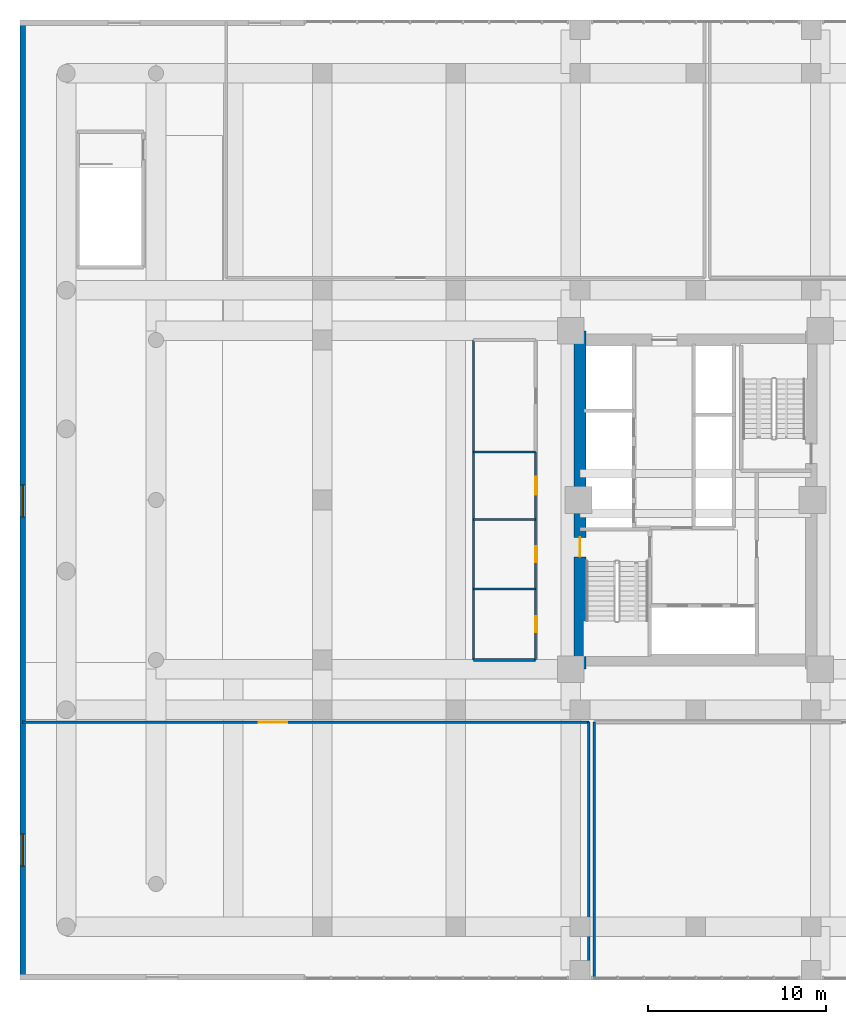
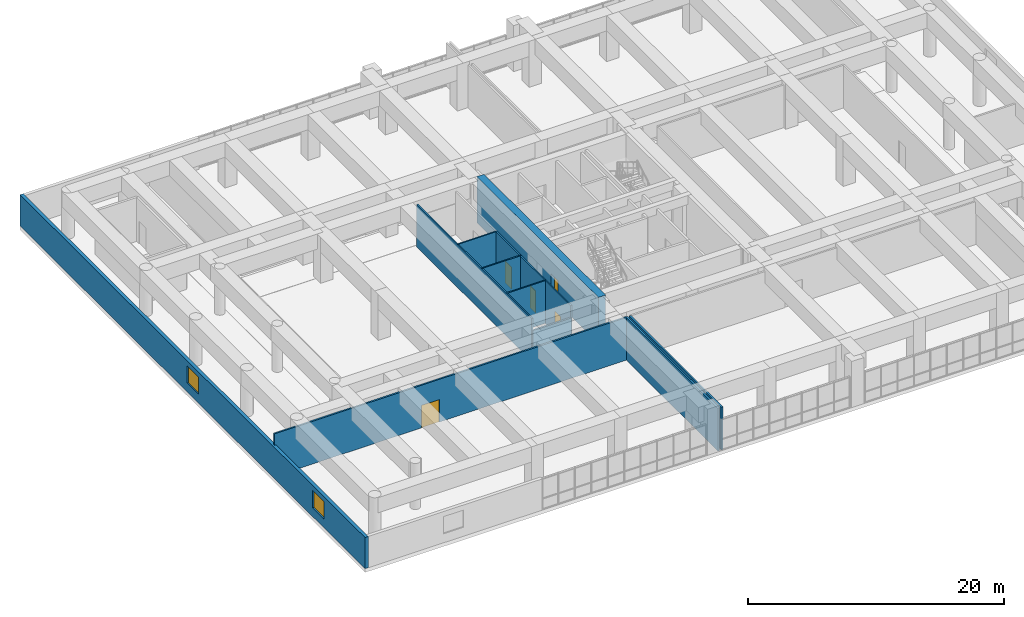
# One storey, part 18 of 28: 13 walls, 5 doors, 2 windows, 7 openings.
"""IFC4 building model written with IfcOpenShell, lengths in metres."""

from ifc_helpers import new_model, si_unit, direction, frame, frame_2d, origin, place, context, subcontext, project, spatial, rectangle, extrude, source, transform, mapped, material, layer, layer_set, type_object, element, fill, save


model = new_model("IFC4")

# Units and contexts
model_context = context("Model", 3, precision=1e-05, world=origin(), true_north=direction((0.0, 1.0)))
body_context = subcontext(model_context, "Body", "Model", "MODEL_VIEW")
ifc_project = project(units=[si_unit("LENGTHUNIT", "METRE"), si_unit("AREAUNIT", "SQUARE_METRE"), si_unit("VOLUMEUNIT", "CUBIC_METRE"), si_unit("PLANEANGLEUNIT", "RADIAN"), si_unit("MASSUNIT", "GRAM", prefix="KILO")], contexts=[model_context])

# Site, building, storey
site_placement = place(None, origin())
site = spatial("IfcSite", under=ifc_project, at=site_placement, CompositionType="ELEMENT")
building_placement = place(site_placement, origin())
building = spatial("IfcBuilding", under=site, at=building_placement, Name="Saelheon Loggia Tower", CompositionType="ELEMENT")
storey_placement = place(building_placement, frame((0.0, 0.0, 15.0)))
storey = spatial("IfcBuildingStorey", under=building, at=storey_placement, Name="L04", CompositionType="ELEMENT", Elevation=15.0)

# Wall, opening, door
ifc_material_1 = material(Name="Concrete C60/75", Category="concrete")
ifc_layer_1 = layer(ifc_material_1, 0.64990234375)
ifc_layer_set_1 = layer_set([ifc_layer_1], Name="Concrete C60/75")
wall_type_1 = type_object("IfcWallType", Name="Wall_CoreShear_650", PredefinedType="SHEAR", material=ifc_layer_set_1)
wall_1_placement = place(storey_placement, frame((31.5, 17.47998046875, 0.0), z_axis=(0.0, 0.0, 1.0), x_axis=(0.0, 1.0, 0.0)))
wall_1 = element("IfcWall", 1, at=wall_1_placement, inside=storey, type_object=wall_type_1, Name="L04 Core Shear Wall West", PredefinedType="SHEAR", context=body_context, shape_type="SweptSolid", body=[
    extrude(rectangle(XDim=19.0400390625, YDim=0.64990234375, at=frame_2d((9.52001953125, 0.0))), origin(), (0.0, 0.0, 1.0), 4.39990234375),
])
opening_1_placement = place(wall_1_placement, frame((6.320068359375, 0.0, 0.0)))
opening_1 = element("IfcOpeningElement", 2, at=opening_1_placement, cuts=wall_1, Name="Opening D-FD2", PredefinedType="OPENING", context=body_context, shape_type="SweptSolid", body=[
    extrude(rectangle(XDim=1.10009765625, YDim=2.14990234375, at=frame_2d((0.550048828125, 1.074951171875))), frame((0.0, 0.3369140625, 0.0), z_axis=(0.0, -1.0, 0.0), x_axis=(1.0, 0.0, 0.0)), (0.0, 0.0, 1.0), 0.673828125),
])
ifc_material_2 = material(Name="Galvanised Steel Fire Door", Category="steel")
door_type_1 = type_object("IfcDoorType", Name="Door_Fire_FD60_1100", OperationType="NOTDEFINED", PredefinedType="DOOR", material=ifc_material_2)
shared_shape_1 = source(origin(), body_context, "Body", "SweptSolid", [
    extrude(rectangle(XDim=1.10009765625, YDim=2.14990234375, at=frame_2d((0.550048828125, 1.074951171875))), frame((0.0, 0.02490234375, 0.0), z_axis=(0.0, -1.0, 0.0), x_axis=(1.0, 0.0, 0.0)), (0.0, 0.0, 1.0), 0.050048828125),
])
door_1_placement = place(opening_1_placement, origin())
door_1 = element("IfcDoor", 3, at=door_1_placement, inside=storey, type_object=door_type_1, Name="L04 Stair ST1 Corridor Door", OperationType="SINGLE_SWING_LEFT", OverallHeight=2.14990234375, OverallWidth=1.10009765625, PredefinedType="DOOR", context=body_context, shape_type="MappedRepresentation", body=[
    mapped(shared_shape_1, transform((0.0, 0.0, 0.0), scale=1.0)),
])
fill(opening_1, door_1)

# Wall, openings, windows
ifc_material_3 = material(Name="Architectural Precast Concrete C40/50", Category="concrete")
ifc_layer_2 = layer(ifc_material_3, 0.300048828125)
ifc_layer_set_2 = layer_set([ifc_layer_2], Name="Architectural Precast Concrete C40/50")
wall_type_2 = type_object("IfcWallType", Name="Wall_Ext_Podium_300", PredefinedType="SOLIDWALL", material=ifc_layer_set_2)
wall_2_placement = place(storey_placement, frame((0.14990234375, 0.0, 0.0), z_axis=(0.0, 0.0, 1.0), x_axis=(0.0, 1.0, 0.0)))
wall_2 = element("IfcWall", 4, at=wall_2_placement, inside=storey, type_object=wall_type_2, Name="L04 West Precast Wall", PredefinedType="SOLIDWALL", context=body_context, shape_type="SweptSolid", body=[
    extrude(rectangle(XDim=54.0, YDim=0.300048828125, at=frame_2d((27.0, 0.0))), origin(), (0.0, 0.0, 1.0), 2.97998046875),
])
opening_2_placement = place(wall_2_placement, frame((6.405029296875, 0.0, 0.85009765625)))
opening_2 = element("IfcOpeningElement", 5, at=opening_2_placement, cuts=wall_2, Name="Opening WN-01", PredefinedType="OPENING", context=body_context, shape_type="SweptSolid", body=[
    extrude(rectangle(XDim=1.800048828125, YDim=1.64990234375, at=frame_2d((0.89990234375, 0.824951171875))), frame((0.0, 0.162109375, 0.0), z_axis=(0.0, -1.0, 0.0), x_axis=(1.0, 0.0, 0.0)), (0.0, 0.0, 1.0), 0.323974609375),
])
opening_3_placement = place(wall_2_placement, frame((26.044921875, 0.0, 0.85009765625)))
opening_3 = element("IfcOpeningElement", 6, at=opening_3_placement, cuts=wall_2, Name="Opening WN-01", PredefinedType="OPENING", context=body_context, shape_type="SweptSolid", body=[
    extrude(rectangle(XDim=1.800048828125, YDim=1.64990234375, at=frame_2d((0.89990234375, 0.824951171875))), frame((0.0, 0.162109375, 0.0), z_axis=(0.0, -1.0, 0.0), x_axis=(1.0, 0.0, 0.0)), (0.0, 0.0, 1.0), 0.323974609375),
])
ifc_material_4 = material(Name="Thermal-Break Aluminium and Triple Low-E Glass", Category="aluminium")
window_type = type_object("IfcWindowType", Name="Win_Dwelling_1800x1650", PartitioningType="SINGLE_PANEL", PredefinedType="WINDOW", material=ifc_material_4)
shared_shape_2 = source(origin(), body_context, "Body", "SweptSolid", [
    extrude(rectangle(XDim=1.800048828125, YDim=1.64990234375, at=frame_2d((0.89990234375, 0.824951171875))), frame((0.0, 0.030029296875, 0.0), z_axis=(0.0, -1.0, 0.0), x_axis=(1.0, 0.0, 0.0)), (0.0, 0.0, 1.0), 0.06005859375),
])
window_1_placement = place(opening_2_placement, origin())
window_1 = element("IfcWindow", 7, at=window_1_placement, inside=storey, type_object=window_type, Name="L04 W Dwelling Window 1", OverallHeight=1.64990234375, OverallWidth=1.800048828125, PartitioningType="SINGLE_PANEL", PredefinedType="WINDOW", context=body_context, shape_type="MappedRepresentation", body=[
    mapped(shared_shape_2, transform((0.0, 0.0, 0.0), scale=1.0)),
])
fill(opening_2, window_1)
window_2_placement = place(opening_3_placement, origin())
window_2 = element("IfcWindow", 8, at=window_2_placement, inside=storey, type_object=window_type, Name="L04 W Dwelling Window 2", OverallHeight=1.64990234375, OverallWidth=1.800048828125, PartitioningType="SINGLE_PANEL", PredefinedType="WINDOW", context=body_context, shape_type="MappedRepresentation", body=[
    mapped(shared_shape_2, transform((0.0, 0.0, 0.0), scale=1.0)),
])
fill(opening_3, window_2)

# Wall
ifc_material_5 = material(Name="Lightweight Autoclaved Aerated Concrete Block and Acoustic Gypsum", Category="concrete")
ifc_layer_3 = layer(ifc_material_5, 0.14990234375)
ifc_layer_set_3 = layer_set([ifc_layer_3], Name="Lightweight Autoclaved Aerated Concrete Block and Acoustic Gypsum")
wall_type_3 = type_object("IfcWallType", Name="Wall_Part_150", PredefinedType="PARTITIONING", material=ifc_layer_set_3)
wall_3_placement = place(storey_placement, frame((25.5, 18.0, 0.0), z_axis=(0.0, 0.0, 1.0), x_axis=(1.0, 0.0, 0.0)))
element("IfcWall", 9, at=wall_3_placement, inside=storey, type_object=wall_type_3, Name="PW-L04-WCS-S", PredefinedType="PARTITIONING", context=body_context, shape_type="SweptSolid", body=[
    extrude(rectangle(XDim=3.5, YDim=0.14990234375, at=frame_2d((1.75, 0.0))), origin(), (0.0, 0.0, 1.0), 2.93994140625),
])

# Wall, opening, door
wall_4_placement = place(storey_placement, frame((0.14990234375, 14.5, 0.0), z_axis=(0.0, 0.0, 1.0), x_axis=(1.0, 0.0, 0.0)))
wall_4 = element("IfcWall", 10, at=wall_4_placement, inside=storey, type_object=wall_type_3, Name="PW-L04-SEM1-N", PredefinedType="PARTITIONING", context=body_context, shape_type="SweptSolid", body=[
    extrude(rectangle(XDim=31.85009765625, YDim=0.14990234375, at=frame_2d((15.925048828125, 0.0))), origin(), (0.0, 0.0, 1.0), 4.080078125),
])
opening_4_placement = place(wall_4_placement, frame((13.278076171875, 0.0, 0.0)))
opening_4 = element("IfcOpeningElement", 11, at=opening_4_placement, cuts=wall_4, Name="Opening D-DB1", PredefinedType="OPENING", context=body_context, shape_type="SweptSolid", body=[
    extrude(rectangle(XDim=1.60009765625, YDim=2.14990234375, at=frame_2d((0.800048828125, 1.074951171875))), frame((0.0, 0.0869140625, 0.0), z_axis=(0.0, -1.0, 0.0), x_axis=(1.0, 0.0, 0.0)), (0.0, 0.0, 1.0), 0.173828125),
])
ifc_material_6 = material(Name="Glazed Steel Seminar Double Door", Category="steel")
door_type_2 = type_object("IfcDoorType", Name="Door_Double_1600", OperationType="DOUBLE_SWING_LEFT", PredefinedType="DOOR", material=ifc_material_6)
shared_shape_3 = source(origin(), body_context, "Body", "SweptSolid", [
    extrude(rectangle(XDim=1.60009765625, YDim=2.14990234375, at=frame_2d((0.800048828125, 1.074951171875))), frame((0.0, 0.02490234375, 0.0), z_axis=(0.0, -1.0, 0.0), x_axis=(1.0, 0.0, 0.0)), (0.0, 0.0, 1.0), 0.050048828125),
])
door_2_placement = place(opening_4_placement, origin())
door_2 = element("IfcDoor", 12, at=door_2_placement, inside=storey, type_object=door_type_2, Name="L04 Public Health Auditorium Hall A Door", OperationType="DOUBLE_SWING_LEFT", OverallHeight=2.14990234375, OverallWidth=1.60009765625, PredefinedType="DOOR", context=body_context, shape_type="MappedRepresentation", body=[
    mapped(shared_shape_3, transform((0.0, 0.0, 0.0), scale=1.0)),
])
fill(opening_4, door_2)

# Walls
for number, where, z_axis, x_axis, name in (
    (13, (32.0, 0.10009765625, 0.0), (0.0, 0.0, 1.0), (0.0, 1.0, 0.0), "PW-L04-SEM1-E"),
    (14, (32.300048828125, 0.10009765625, 0.0), (0.0, 0.0, 1.0), (0.0, 1.0, 0.0), "PW-L04-SEM2-W"),
):
    element("IfcWall", number, at=place(storey_placement, frame(where, z_axis=z_axis, x_axis=x_axis)), inside=storey, type_object=wall_type_3, Name=name, PredefinedType="PARTITIONING", context=body_context, shape_type="SweptSolid", body=[
        extrude(rectangle(XDim=14.39990234375, YDim=0.14990234375, at=frame_2d((7.199951171875, 0.0))), origin(), (0.0, 0.0, 1.0), 4.080078125),
    ])
ifc_material_7 = material(Name="Moisture-Resistant Cement Board Partition", Category="gypsum")
ifc_layer_4 = layer(ifc_material_7, 0.1201171875)
ifc_layer_set_4 = layer_set([ifc_layer_4], Name="Moisture-Resistant Cement Board Partition")
wall_type_4 = type_object("IfcWallType", Name="Wall_WetPart_120", PredefinedType="PARTITIONING", material=ifc_layer_set_4)
wall_5_placement = place(storey_placement, frame((25.5, 18.0, 0.0), z_axis=(0.0, 0.0, 1.0), x_axis=(0.0, 1.0, 0.0)))
element("IfcWall", 15, at=wall_5_placement, inside=storey, type_object=wall_type_4, Name="PW-L04-WCS-W", PredefinedType="PARTITIONING", context=body_context, shape_type="SweptSolid", body=[
    extrude(rectangle(XDim=18.0, YDim=0.1201171875, at=frame_2d((9.0, 0.0))), origin(), (0.0, 0.0, 1.0), 4.080078125),
])

# Wall, opening, door
wall_6_placement = place(storey_placement, frame((29.0, 18.0, 0.0), z_axis=(0.0, 0.0, 1.0), x_axis=(0.0, 1.0, 0.0)))
wall_6 = element("IfcWall", 16, at=wall_6_placement, inside=storey, type_object=wall_type_4, Name="PW-L04-WCS-E1", PredefinedType="PARTITIONING", context=body_context, shape_type="SweptSolid", body=[
    extrude(rectangle(XDim=4.0, YDim=0.1201171875, at=frame_2d((2.0, 0.0))), origin(), (0.0, 0.0, 1.0), 4.080078125),
])
opening_5_placement = place(wall_6_placement, frame((1.550048828125, 0.0, 0.0)))
opening_5 = element("IfcOpeningElement", 17, at=opening_5_placement, cuts=wall_6, Name="Opening D-IN2", PredefinedType="OPENING", context=body_context, shape_type="SweptSolid", body=[
    extrude(rectangle(XDim=0.89990234375, YDim=2.10009765625, at=frame_2d((0.449951171875, 1.050048828125))), frame((0.0, 0.072021484375, 0.0), z_axis=(0.0, -1.0, 0.0), x_axis=(1.0, 0.0, 0.0)), (0.0, 0.0, 1.0), 0.14404296875),
])
ifc_material_8 = material(Name="Engineered Oak Flush Door", Category="timber")
door_type_3 = type_object("IfcDoorType", Name="Door_Int_900", OperationType="NOTDEFINED", PredefinedType="DOOR", material=ifc_material_8)
shared_shape_4 = source(origin(), body_context, "Body", "SweptSolid", [
    extrude(rectangle(XDim=0.89990234375, YDim=2.10009765625, at=frame_2d((0.449951171875, 1.050048828125))), frame((0.0, 0.02490234375, 0.0), z_axis=(0.0, -1.0, 0.0), x_axis=(1.0, 0.0, 0.0)), (0.0, 0.0, 1.0), 0.050048828125),
])
door_3_placement = place(opening_5_placement, origin())
door_3 = element("IfcDoor", 18, at=door_3_placement, inside=storey, type_object=door_type_3, Name="L04 Male WC Door", OperationType="SINGLE_SWING_LEFT", OverallHeight=2.10009765625, OverallWidth=0.89990234375, PredefinedType="DOOR", context=body_context, shape_type="MappedRepresentation", body=[
    mapped(shared_shape_4, transform((0.0, 0.0, 0.0), scale=1.0)),
])
fill(opening_5, door_3)

wall_7_placement = place(storey_placement, frame((29.0, 22.0, 0.0), z_axis=(0.0, 0.0, 1.0), x_axis=(0.0, 1.0, 0.0)))
wall_7 = element("IfcWall", 19, at=wall_7_placement, inside=storey, type_object=wall_type_4, Name="PW-L04-WCS-E2", PredefinedType="PARTITIONING", context=body_context, shape_type="SweptSolid", body=[
    extrude(rectangle(XDim=3.89990234375, YDim=0.1201171875, at=frame_2d((1.949951171875, 0.0))), origin(), (0.0, 0.0, 1.0), 4.080078125),
])
opening_6_placement = place(wall_7_placement, frame((1.5, 0.0, 0.0)))
opening_6 = element("IfcOpeningElement", 20, at=opening_6_placement, cuts=wall_7, Name="Opening D-IN2", PredefinedType="OPENING", context=body_context, shape_type="SweptSolid", body=[
    extrude(rectangle(XDim=0.89990234375, YDim=2.10009765625, at=frame_2d((0.449951171875, 1.050048828125))), frame((0.0, 0.072021484375, 0.0), z_axis=(0.0, -1.0, 0.0), x_axis=(1.0, 0.0, 0.0)), (0.0, 0.0, 1.0), 0.14404296875),
])
door_4_placement = place(opening_6_placement, origin())
door_4 = element("IfcDoor", 21, at=door_4_placement, inside=storey, type_object=door_type_3, Name="L04 Female WC Door", OperationType="SINGLE_SWING_RIGHT", OverallHeight=2.10009765625, OverallWidth=0.89990234375, PredefinedType="DOOR", context=body_context, shape_type="MappedRepresentation", body=[
    mapped(shared_shape_4, transform((0.0, 0.0, 0.0), scale=1.0)),
])
fill(opening_6, door_4)

wall_8_placement = place(storey_placement, frame((29.0, 25.89990234375, 0.0), z_axis=(0.0, 0.0, 1.0), x_axis=(0.0, 1.0, 0.0)))
wall_8 = element("IfcWall", 22, at=wall_8_placement, inside=storey, type_object=wall_type_4, Name="PW-L04-WCS-E3", PredefinedType="PARTITIONING", context=body_context, shape_type="SweptSolid", body=[
    extrude(rectangle(XDim=3.800048828125, YDim=0.1201171875, at=frame_2d((1.89990234375, 0.0))), origin(), (0.0, 0.0, 1.0), 4.080078125),
])
opening_7_placement = place(wall_8_placement, frame((1.39990234375, 0.0, 0.0)))
opening_7 = element("IfcOpeningElement", 23, at=opening_7_placement, cuts=wall_8, Name="Opening D-AC1", PredefinedType="OPENING", context=body_context, shape_type="SweptSolid", body=[
    extrude(rectangle(XDim=1.0, YDim=2.10009765625, at=frame_2d((0.5, 1.050048828125))), frame((0.0, 0.072021484375, 0.0), z_axis=(0.0, -1.0, 0.0), x_axis=(1.0, 0.0, 0.0)), (0.0, 0.0, 1.0), 0.14404296875),
])
ifc_material_9 = material(Name="Accessible Laminate Flush Door", Category="timber")
door_type_4 = type_object("IfcDoorType", Name="Door_Acc_1000", OperationType="NOTDEFINED", PredefinedType="DOOR", material=ifc_material_9)
shared_shape_5 = source(origin(), body_context, "Body", "SweptSolid", [
    extrude(rectangle(XDim=1.0, YDim=2.10009765625, at=frame_2d((0.5, 1.050048828125))), frame((0.0, 0.02490234375, 0.0), z_axis=(0.0, -1.0, 0.0), x_axis=(1.0, 0.0, 0.0)), (0.0, 0.0, 1.0), 0.050048828125),
])
door_5_placement = place(opening_7_placement, origin())
door_5 = element("IfcDoor", 24, at=door_5_placement, inside=storey, type_object=door_type_4, Name="L04 Accessible WC Door", OperationType="SINGLE_SWING_LEFT", OverallHeight=2.10009765625, OverallWidth=1.0, PredefinedType="DOOR", context=body_context, shape_type="MappedRepresentation", body=[
    mapped(shared_shape_5, transform((0.0, 0.0, 0.0), scale=1.0)),
])
fill(opening_7, door_5)

# Walls
for number, where, z_axis, x_axis, name in (
    (25, (25.5, 22.0, 0.0), (0.0, 0.0, 1.0), (1.0, 0.0, 0.0), "PW-L04-WCS-D1"),
    (26, (25.5, 25.89990234375, 0.0), (0.0, 0.0, 1.0), (1.0, 0.0, 0.0), "PW-L04-WCS-D2"),
    (27, (25.5, 29.699951171875, 0.0), (0.0, 0.0, 1.0), (1.0, 0.0, 0.0), "PW-L04-WCS-D3"),
):
    element("IfcWall", number, at=place(storey_placement, frame(where, z_axis=z_axis, x_axis=x_axis)), inside=storey, type_object=wall_type_4, Name=name, PredefinedType="PARTITIONING", context=body_context, shape_type="SweptSolid", body=[
        extrude(rectangle(XDim=3.5, YDim=0.1201171875, at=frame_2d((1.75, 0.0))), origin(), (0.0, 0.0, 1.0), 4.080078125),
    ])

save(model, "model.ifc")
